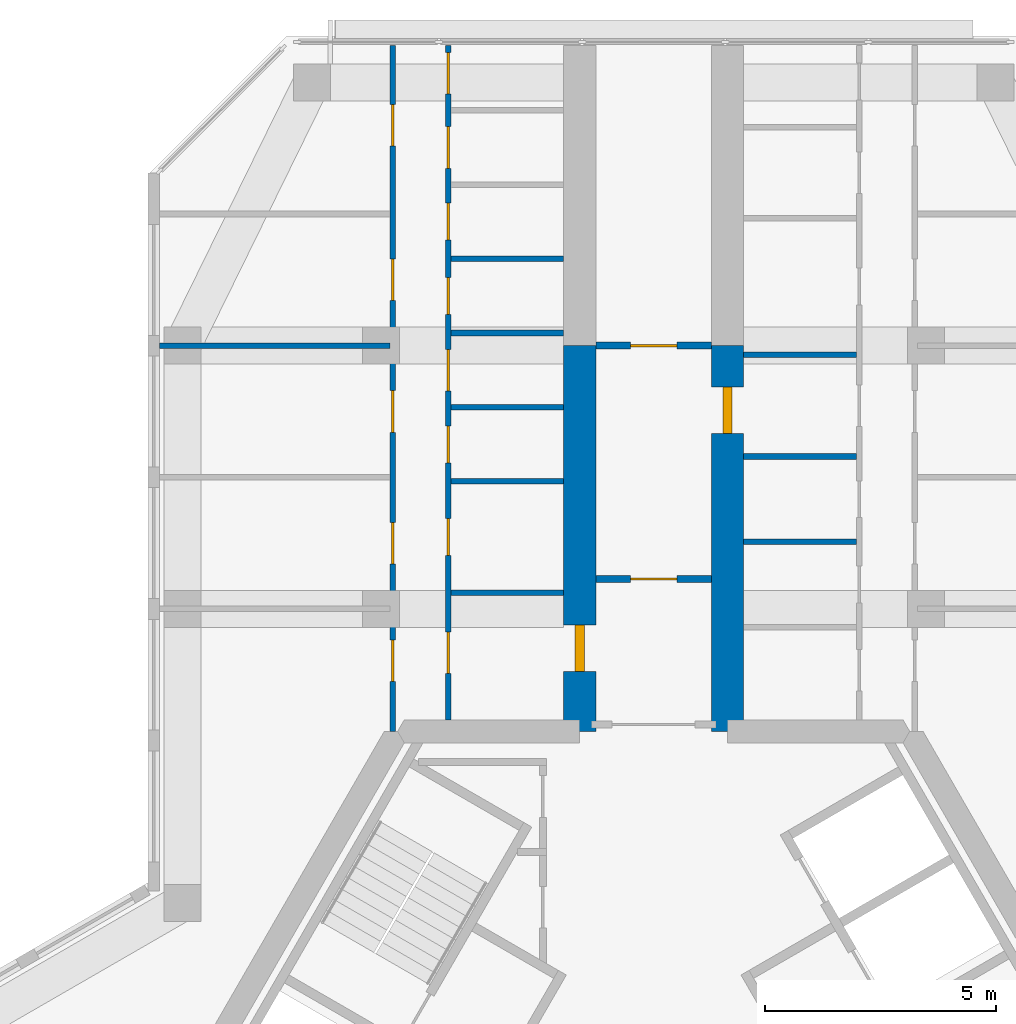
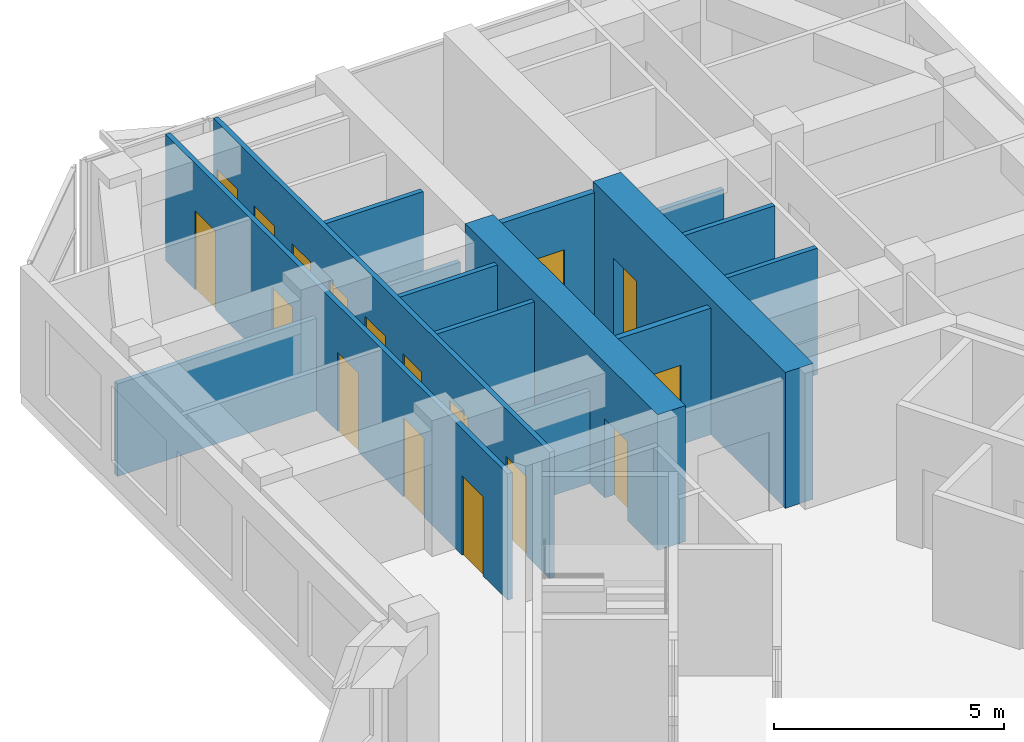
# One storey, part 12 of 14: 17 doors, 15 walls, 17 openings.
"""IFC4 building model written with IfcOpenShell, lengths in metres."""

from ifc_helpers import new_model, si_unit, direction, frame, frame_2d, origin, place, context, subcontext, project, spatial, rectangle, extrude, material, layer, layer_set, type_object, element, fill, save


model = new_model("IFC4")

# Units and contexts
model_context = context("Model", 3, precision=1e-05, world=origin(), true_north=direction((0.0, 1.0)))
body_context = subcontext(model_context, "Body", "Model", "MODEL_VIEW")
ifc_project = project(units=[si_unit("LENGTHUNIT", "METRE"), si_unit("AREAUNIT", "SQUARE_METRE"), si_unit("VOLUMEUNIT", "CUBIC_METRE"), si_unit("PLANEANGLEUNIT", "RADIAN"), si_unit("MASSUNIT", "GRAM", prefix="KILO")], contexts=[model_context])

# Site, building, storey
site_placement = place(None, origin())
site = spatial("IfcSite", under=ifc_project, at=site_placement, CompositionType="ELEMENT")
building_placement = place(site_placement, origin())
building = spatial("IfcBuilding", under=site, at=building_placement, Name="Kosmar Iwan School Tower", CompositionType="ELEMENT")
storey_placement = place(building_placement, frame((0.0, 0.0, 292.60009765625)))
storey = spatial("IfcBuildingStorey", under=building, at=storey_placement, Name="L74", CompositionType="ELEMENT", Elevation=292.60009765625)

# Wall, opening, door
ifc_material_1 = material(Name="Concrete C50/60", Category="concrete")
ifc_layer_1 = layer(ifc_material_1, 0.699951171875)
ifc_layer_set_1 = layer_set([ifc_layer_1], Name="Corridor buttress wall 700")
wall_type_1 = type_object("IfcWallType", Name="Corridor buttress wall 700", PredefinedType="SHEAR", material=ifc_layer_set_1)
wall_1_placement = place(storey_placement, frame((-1.60009765625, 9.60009765625, 0.0), z_axis=(0.0, 0.0, 1.0), x_axis=(0.0, 1.0, 0.0)))
wall_1 = element("IfcWall", 1, at=wall_1_placement, inside=storey, type_object=wall_type_1, Name="Corridor wall AL", PredefinedType="SHEAR", context=body_context, shape_type="SweptSolid", body=[
    extrude(rectangle(XDim=8.349853515625, YDim=0.699951171875, at=frame_2d((4.1748046875, 0.0))), origin(), (0.0, 0.0, 1.0), 3.599853515625),
])
opening_1_placement = place(wall_1_placement, frame((1.300048828125, 0.0, 0.0)))
opening_1 = element("IfcOpeningElement", 2, at=opening_1_placement, cuts=wall_1, Name="Opening D1", PredefinedType="OPENING", context=body_context, shape_type="SweptSolid", body=[
    extrude(rectangle(XDim=1.0, YDim=2.10009765625, at=frame_2d((0.5, 1.050048828125))), frame((0.0, 0.362060546875, 0.0), z_axis=(0.0, -1.0, 0.0), x_axis=(1.0, 0.0, 0.0)), (0.0, 0.0, 1.0), 0.723876953125),
])
ifc_material_2 = material(Name="Timber fire door in steel frame", Category="steel")
door_type_1 = type_object("IfcDoorType", Name="Flat entrance door 1000x2100", OperationType="SINGLE_SWING_LEFT", PredefinedType="DOOR", material=ifc_material_2)
door_1_placement = place(opening_1_placement, origin())
door_1 = element("IfcDoor", 3, at=door_1_placement, inside=storey, type_object=door_type_1, Name="Flat L74-AL1 entrance door", OperationType="SINGLE_SWING_RIGHT", OverallHeight=2.10009765625, OverallWidth=1.0, PredefinedType="DOOR", context=body_context, shape_type="SweptSolid", body=[
    extrude(rectangle(XDim=1.0, YDim=2.10009765625, at=frame_2d((0.5, 1.050048828125))), frame((0.0, 0.10009765625, 0.0), z_axis=(0.0, -1.0, 0.0), x_axis=(1.0, 0.0, 0.0)), (0.0, 0.0, 1.0), 0.199951171875),
])
fill(opening_1, door_1)

wall_2_placement = place(storey_placement, frame((1.60009765625, 9.60009765625, 0.0), z_axis=(0.0, 0.0, 1.0), x_axis=(0.0, 1.0, 0.0)))
wall_2 = element("IfcWall", 4, at=wall_2_placement, inside=storey, type_object=wall_type_1, Name="Corridor wall AR", PredefinedType="SHEAR", context=body_context, shape_type="SweptSolid", body=[
    extrude(rectangle(XDim=8.349853515625, YDim=0.699951171875, at=frame_2d((4.1748046875, 0.0))), origin(), (0.0, 0.0, 1.0), 3.599853515625),
])
opening_2_placement = place(wall_2_placement, frame((6.449951171875, 0.0, 0.0)))
opening_2 = element("IfcOpeningElement", 5, at=opening_2_placement, cuts=wall_2, Name="Opening D1", PredefinedType="OPENING", context=body_context, shape_type="SweptSolid", body=[
    extrude(rectangle(XDim=1.0, YDim=2.10009765625, at=frame_2d((0.5, 1.050048828125))), frame((0.0, 0.362060546875, 0.0), z_axis=(0.0, -1.0, 0.0), x_axis=(1.0, 0.0, 0.0)), (0.0, 0.0, 1.0), 0.723876953125),
])
door_2_placement = place(opening_2_placement, origin())
door_2 = element("IfcDoor", 6, at=door_2_placement, inside=storey, type_object=door_type_1, Name="Flat L74-AR1 entrance door", OperationType="SINGLE_SWING_RIGHT", OverallHeight=2.10009765625, OverallWidth=1.0, PredefinedType="DOOR", context=body_context, shape_type="SweptSolid", body=[
    extrude(rectangle(XDim=1.0, YDim=2.10009765625, at=frame_2d((0.5, 1.050048828125))), frame((0.0, 0.10009765625, 0.0), z_axis=(0.0, -1.0, 0.0), x_axis=(1.0, 0.0, 0.0)), (0.0, 0.0, 1.0), 0.199951171875),
])
fill(opening_2, door_2)

ifc_material_3 = material(Name="Gypsum board on steel studs, fire-rated", Category="steel")
ifc_layer_2 = layer(ifc_material_3, 0.14990234375)
ifc_layer_set_2 = layer_set([ifc_layer_2], Name="Corridor end wall 150")
wall_type_2 = type_object("IfcWallType", Name="Corridor end wall 150", PredefinedType="PARTITIONING", material=ifc_layer_set_2)
wall_3_placement = place(storey_placement, frame((1.25, 17.949951171875, 0.0), z_axis=(0.0, 0.0, 1.0), x_axis=(-1.0, 0.0, 0.0)))
wall_3 = element("IfcWall", 7, at=wall_3_placement, inside=storey, type_object=wall_type_2, Name="Partition L74-A-CE", PredefinedType="PARTITIONING", context=body_context, shape_type="SweptSolid", body=[
    extrude(rectangle(XDim=2.5, YDim=0.14990234375, at=frame_2d((1.25, 0.0))), origin(), (0.0, 0.0, 1.0), 3.349853515625),
])
opening_3_placement = place(wall_3_placement, frame((0.75, 0.0, 0.0)))
opening_3 = element("IfcOpeningElement", 8, at=opening_3_placement, cuts=wall_3, Name="Opening D13", PredefinedType="OPENING", context=body_context, shape_type="SweptSolid", body=[
    extrude(rectangle(XDim=1.0, YDim=2.10009765625, at=frame_2d((0.5, 1.050048828125))), frame((0.0, 0.0869140625, 0.0), z_axis=(0.0, -1.0, 0.0), x_axis=(1.0, 0.0, 0.0)), (0.0, 0.0, 1.0), 0.173828125),
])
ifc_material_4 = material(Name="Timber fire door with vision panel", Category="wood")
door_type_2 = type_object("IfcDoorType", Name="Corridor end door 1000x2100", OperationType="SINGLE_SWING_LEFT", PredefinedType="DOOR", material=ifc_material_4)
door_3_placement = place(opening_3_placement, origin())
door_3 = element("IfcDoor", 9, at=door_3_placement, inside=storey, type_object=door_type_2, Name="Laundry and drying room door L74-A", OperationType="SINGLE_SWING_LEFT", OverallHeight=2.10009765625, OverallWidth=1.0, PredefinedType="DOOR", context=body_context, shape_type="SweptSolid", body=[
    extrude(rectangle(XDim=1.0, YDim=2.10009765625, at=frame_2d((0.5, 1.050048828125))), frame((0.0, 0.02490234375, 0.0), z_axis=(0.0, -1.0, 0.0), x_axis=(1.0, 0.0, 0.0)), (0.0, 0.0, 1.0), 0.050048828125),
])
fill(opening_3, door_3)

wall_4_placement = place(storey_placement, frame((1.25, 12.89990234375, 0.0), z_axis=(0.0, 0.0, 1.0), x_axis=(-1.0, 0.0, 0.0)))
wall_4 = element("IfcWall", 10, at=wall_4_placement, inside=storey, type_object=wall_type_2, Name="Partition L74-A-HW", PredefinedType="PARTITIONING", context=body_context, shape_type="SweptSolid", body=[
    extrude(rectangle(XDim=2.5, YDim=0.14990234375, at=frame_2d((1.25, 0.0))), origin(), (0.0, 0.0, 1.0), 3.349853515625),
])
opening_4_placement = place(wall_4_placement, frame((0.75, 0.0, 0.0)))
opening_4 = element("IfcOpeningElement", 11, at=opening_4_placement, cuts=wall_4, Name="Opening D13", PredefinedType="OPENING", context=body_context, shape_type="SweptSolid", body=[
    extrude(rectangle(XDim=1.0, YDim=2.10009765625, at=frame_2d((0.5, 1.050048828125))), frame((0.0, 0.0869140625, 0.0), z_axis=(0.0, -1.0, 0.0), x_axis=(1.0, 0.0, 0.0)), (0.0, 0.0, 1.0), 0.173828125),
])
door_4_placement = place(opening_4_placement, origin())
door_4 = element("IfcDoor", 12, at=door_4_placement, inside=storey, type_object=door_type_2, Name="Entrance door L74-A", OperationType="SINGLE_SWING_RIGHT", OverallHeight=2.10009765625, OverallWidth=1.0, PredefinedType="DOOR", context=body_context, shape_type="SweptSolid", body=[
    extrude(rectangle(XDim=1.0, YDim=2.10009765625, at=frame_2d((0.5, 1.050048828125))), frame((0.0, 0.02490234375, 0.0), z_axis=(0.0, -1.0, 0.0), x_axis=(1.0, 0.0, 0.0)), (0.0, 0.0, 1.0), 0.050048828125),
])
fill(opening_4, door_4)

# Wall, openings, doors
ifc_material_5 = material(Name="Gypsum board on steel studs", Category="steel")
ifc_layer_3 = layer(ifc_material_5, 0.1201171875)
ifc_layer_set_3 = layer_set([ifc_layer_3], Name="Dwelling partition 120")
wall_type_3 = type_object("IfcWallType", Name="Dwelling partition 120", PredefinedType="PARTITIONING", material=ifc_layer_set_3)
wall_5_placement = place(storey_placement, frame((-4.449951171875, 9.85009765625, 0.0), z_axis=(0.0, 0.0, 1.0), x_axis=(0.0, 1.0, 0.0)))
wall_5 = element("IfcWall", 13, at=wall_5_placement, inside=storey, type_object=wall_type_3, Name="Partition L74-AL1-W1", PredefinedType="PARTITIONING", context=body_context, shape_type="SweptSolid", body=[
    extrude(rectangle(XDim=14.594970703125, YDim=0.1201171875, at=frame_2d((7.29736328125, 0.0))), origin(), (0.0, 0.0, 1.0), 3.349853515625),
])
opening_5_placement = place(wall_5_placement, frame((1.0, 0.0, 0.0)))
opening_5 = element("IfcOpeningElement", 14, at=opening_5_placement, cuts=wall_5, Name="Opening D2", PredefinedType="OPENING", context=body_context, shape_type="SweptSolid", body=[
    extrude(rectangle(XDim=0.89990234375, YDim=2.10009765625, at=frame_2d((0.449951171875, 1.050048828125))), frame((0.0, 0.072021484375, 0.0), z_axis=(0.0, -1.0, 0.0), x_axis=(1.0, 0.0, 0.0)), (0.0, 0.0, 1.0), 0.14404296875),
])
opening_6_placement = place(wall_5_placement, frame((3.554931640625, 0.0, 0.0)))
opening_6 = element("IfcOpeningElement", 15, at=opening_6_placement, cuts=wall_5, Name="Opening D3", PredefinedType="OPENING", context=body_context, shape_type="SweptSolid", body=[
    extrude(rectangle(XDim=0.800048828125, YDim=2.10009765625, at=frame_2d((0.39990234375, 1.050048828125))), frame((0.0, 0.072021484375, 0.0), z_axis=(0.0, -1.0, 0.0), x_axis=(1.0, 0.0, 0.0)), (0.0, 0.0, 1.0), 0.14404296875),
])
opening_7_placement = place(wall_5_placement, frame((5.563232421875, 0.0, 0.0)))
opening_7 = element("IfcOpeningElement", 16, at=opening_7_placement, cuts=wall_5, Name="Opening D3", PredefinedType="OPENING", context=body_context, shape_type="SweptSolid", body=[
    extrude(rectangle(XDim=0.800048828125, YDim=2.10009765625, at=frame_2d((0.39990234375, 1.050048828125))), frame((0.0, 0.072021484375, 0.0), z_axis=(0.0, -1.0, 0.0), x_axis=(1.0, 0.0, 0.0)), (0.0, 0.0, 1.0), 0.14404296875),
])
opening_8_placement = place(wall_5_placement, frame((7.1201171875, 0.0, 0.0)))
opening_8 = element("IfcOpeningElement", 17, at=opening_8_placement, cuts=wall_5, Name="Opening D2", PredefinedType="OPENING", context=body_context, shape_type="SweptSolid", body=[
    extrude(rectangle(XDim=0.89990234375, YDim=2.10009765625, at=frame_2d((0.449951171875, 1.050048828125))), frame((0.0, 0.072021484375, 0.0), z_axis=(0.0, -1.0, 0.0), x_axis=(1.0, 0.0, 0.0)), (0.0, 0.0, 1.0), 0.14404296875),
])
opening_9_placement = place(wall_5_placement, frame((8.776611328125, 0.0, 0.0)))
opening_9 = element("IfcOpeningElement", 18, at=opening_9_placement, cuts=wall_5, Name="Opening D3", PredefinedType="OPENING", context=body_context, shape_type="SweptSolid", body=[
    extrude(rectangle(XDim=0.800048828125, YDim=2.10009765625, at=frame_2d((0.39990234375, 1.050048828125))), frame((0.0, 0.072021484375, 0.0), z_axis=(0.0, -1.0, 0.0), x_axis=(1.0, 0.0, 0.0)), (0.0, 0.0, 1.0), 0.14404296875),
])
opening_10_placement = place(wall_5_placement, frame((10.38330078125, 0.0, 0.0)))
opening_10 = element("IfcOpeningElement", 19, at=opening_10_placement, cuts=wall_5, Name="Opening D3", PredefinedType="OPENING", context=body_context, shape_type="SweptSolid", body=[
    extrude(rectangle(XDim=0.800048828125, YDim=2.10009765625, at=frame_2d((0.39990234375, 1.050048828125))), frame((0.0, 0.072021484375, 0.0), z_axis=(0.0, -1.0, 0.0), x_axis=(1.0, 0.0, 0.0)), (0.0, 0.0, 1.0), 0.14404296875),
])
opening_11_placement = place(wall_5_placement, frame((11.93994140625, 0.0, 0.0)))
opening_11 = element("IfcOpeningElement", 20, at=opening_11_placement, cuts=wall_5, Name="Opening D2", PredefinedType="OPENING", context=body_context, shape_type="SweptSolid", body=[
    extrude(rectangle(XDim=0.89990234375, YDim=2.10009765625, at=frame_2d((0.449951171875, 1.050048828125))), frame((0.0, 0.072021484375, 0.0), z_axis=(0.0, -1.0, 0.0), x_axis=(1.0, 0.0, 0.0)), (0.0, 0.0, 1.0), 0.14404296875),
])
opening_12_placement = place(wall_5_placement, frame((13.546630859375, 0.0, 0.0)))
opening_12 = element("IfcOpeningElement", 21, at=opening_12_placement, cuts=wall_5, Name="Opening D2", PredefinedType="OPENING", context=body_context, shape_type="SweptSolid", body=[
    extrude(rectangle(XDim=0.89990234375, YDim=2.10009765625, at=frame_2d((0.449951171875, 1.050048828125))), frame((0.0, 0.072021484375, 0.0), z_axis=(0.0, -1.0, 0.0), x_axis=(1.0, 0.0, 0.0)), (0.0, 0.0, 1.0), 0.14404296875),
])
ifc_material_6 = material(Name="Timber door in timber frame", Category="wood")
door_type_3 = type_object("IfcDoorType", Name="Internal door 900x2100", OperationType="SINGLE_SWING_LEFT", PredefinedType="DOOR", material=ifc_material_6)
door_5_placement = place(opening_5_placement, origin())
door_5 = element("IfcDoor", 22, at=door_5_placement, inside=storey, type_object=door_type_3, Name="Entrance hall door L74-AL1-S1", OperationType="SINGLE_SWING_LEFT", OverallHeight=2.10009765625, OverallWidth=0.89990234375, PredefinedType="DOOR", context=body_context, shape_type="SweptSolid", body=[
    extrude(rectangle(XDim=0.89990234375, YDim=2.10009765625, at=frame_2d((0.449951171875, 1.050048828125))), frame((0.0, 0.02490234375, 0.0), z_axis=(0.0, -1.0, 0.0), x_axis=(1.0, 0.0, 0.0)), (0.0, 0.0, 1.0), 0.050048828125),
])
fill(opening_5, door_5)
door_6_placement = place(opening_8_placement, origin())
door_6 = element("IfcDoor", 23, at=door_6_placement, inside=storey, type_object=door_type_3, Name="Pantry door L74-AL1-S4", OperationType="SINGLE_SWING_RIGHT", OverallHeight=2.10009765625, OverallWidth=0.89990234375, PredefinedType="DOOR", context=body_context, shape_type="SweptSolid", body=[
    extrude(rectangle(XDim=0.89990234375, YDim=2.10009765625, at=frame_2d((0.449951171875, 1.050048828125))), frame((0.0, 0.02490234375, 0.0), z_axis=(0.0, -1.0, 0.0), x_axis=(1.0, 0.0, 0.0)), (0.0, 0.0, 1.0), 0.050048828125),
])
fill(opening_8, door_6)
door_7_placement = place(opening_11_placement, origin())
door_7 = element("IfcDoor", 24, at=door_7_placement, inside=storey, type_object=door_type_3, Name="Utility room door L74-AL1-S7", OperationType="SINGLE_SWING_RIGHT", OverallHeight=2.10009765625, OverallWidth=0.89990234375, PredefinedType="DOOR", context=body_context, shape_type="SweptSolid", body=[
    extrude(rectangle(XDim=0.89990234375, YDim=2.10009765625, at=frame_2d((0.449951171875, 1.050048828125))), frame((0.0, 0.02490234375, 0.0), z_axis=(0.0, -1.0, 0.0), x_axis=(1.0, 0.0, 0.0)), (0.0, 0.0, 1.0), 0.050048828125),
])
fill(opening_11, door_7)
door_8_placement = place(opening_12_placement, origin())
door_8 = element("IfcDoor", 25, at=door_8_placement, inside=storey, type_object=door_type_3, Name="Dressing room door L74-AL1-S8", OperationType="SINGLE_SWING_RIGHT", OverallHeight=2.10009765625, OverallWidth=0.89990234375, PredefinedType="DOOR", context=body_context, shape_type="SweptSolid", body=[
    extrude(rectangle(XDim=0.89990234375, YDim=2.10009765625, at=frame_2d((0.449951171875, 1.050048828125))), frame((0.0, 0.02490234375, 0.0), z_axis=(0.0, -1.0, 0.0), x_axis=(1.0, 0.0, 0.0)), (0.0, 0.0, 1.0), 0.050048828125),
])
fill(opening_12, door_8)
ifc_material_7 = material(Name="Timber door in timber frame", Category="wood")
door_type_4 = type_object("IfcDoorType", Name="Sanitary room door 800x2100", OperationType="SINGLE_SWING_LEFT", PredefinedType="DOOR", material=ifc_material_7)
door_9_placement = place(opening_6_placement, origin())
door_9 = element("IfcDoor", 26, at=door_9_placement, inside=storey, type_object=door_type_4, Name="Bathroom door L74-AL1-S2", OperationType="SINGLE_SWING_LEFT", OverallHeight=2.10009765625, OverallWidth=0.800048828125, PredefinedType="DOOR", context=body_context, shape_type="SweptSolid", body=[
    extrude(rectangle(XDim=0.800048828125, YDim=2.10009765625, at=frame_2d((0.39990234375, 1.050048828125))), frame((0.0, 0.02490234375, 0.0), z_axis=(0.0, -1.0, 0.0), x_axis=(1.0, 0.0, 0.0)), (0.0, 0.0, 1.0), 0.050048828125),
])
fill(opening_6, door_9)
door_10_placement = place(opening_7_placement, origin())
door_10 = element("IfcDoor", 27, at=door_10_placement, inside=storey, type_object=door_type_4, Name="Shower room door L74-AL1-S3", OperationType="SINGLE_SWING_LEFT", OverallHeight=2.10009765625, OverallWidth=0.800048828125, PredefinedType="DOOR", context=body_context, shape_type="SweptSolid", body=[
    extrude(rectangle(XDim=0.800048828125, YDim=2.10009765625, at=frame_2d((0.39990234375, 1.050048828125))), frame((0.0, 0.02490234375, 0.0), z_axis=(0.0, -1.0, 0.0), x_axis=(1.0, 0.0, 0.0)), (0.0, 0.0, 1.0), 0.050048828125),
])
fill(opening_7, door_10)
door_11_placement = place(opening_9_placement, origin())
door_11 = element("IfcDoor", 28, at=door_11_placement, inside=storey, type_object=door_type_4, Name="WC door L74-AL1-S5", OperationType="SINGLE_SWING_RIGHT", OverallHeight=2.10009765625, OverallWidth=0.800048828125, PredefinedType="DOOR", context=body_context, shape_type="SweptSolid", body=[
    extrude(rectangle(XDim=0.800048828125, YDim=2.10009765625, at=frame_2d((0.39990234375, 1.050048828125))), frame((0.0, 0.02490234375, 0.0), z_axis=(0.0, -1.0, 0.0), x_axis=(1.0, 0.0, 0.0)), (0.0, 0.0, 1.0), 0.050048828125),
])
fill(opening_9, door_11)
door_12_placement = place(opening_10_placement, origin())
door_12 = element("IfcDoor", 29, at=door_12_placement, inside=storey, type_object=door_type_4, Name="Store door L74-AL1-S6", OperationType="SINGLE_SWING_RIGHT", OverallHeight=2.10009765625, OverallWidth=0.800048828125, PredefinedType="DOOR", context=body_context, shape_type="SweptSolid", body=[
    extrude(rectangle(XDim=0.800048828125, YDim=2.10009765625, at=frame_2d((0.39990234375, 1.050048828125))), frame((0.0, 0.02490234375, 0.0), z_axis=(0.0, -1.0, 0.0), x_axis=(1.0, 0.0, 0.0)), (0.0, 0.0, 1.0), 0.050048828125),
])
fill(opening_10, door_12)

wall_6_placement = place(storey_placement, frame((-5.64990234375, 9.60009765625, 0.0), z_axis=(0.0, 0.0, 1.0), x_axis=(0.0, 1.0, 0.0)))
wall_6 = element("IfcWall", 30, at=wall_6_placement, inside=storey, type_object=wall_type_3, Name="Partition L74-AL1-W2", PredefinedType="PARTITIONING", context=body_context, shape_type="SweptSolid", body=[
    extrude(rectangle(XDim=14.844970703125, YDim=0.1201171875, at=frame_2d((7.42236328125, 0.0))), origin(), (0.0, 0.0, 1.0), 3.349853515625),
])
opening_13_placement = place(wall_6_placement, frame((1.074951171875, 0.0, 0.0)))
opening_13 = element("IfcOpeningElement", 31, at=opening_13_placement, cuts=wall_6, Name="Opening D2", PredefinedType="OPENING", context=body_context, shape_type="SweptSolid", body=[
    extrude(rectangle(XDim=0.89990234375, YDim=2.10009765625, at=frame_2d((0.449951171875, 1.050048828125))), frame((0.0, 0.072021484375, 0.0), z_axis=(0.0, -1.0, 0.0), x_axis=(1.0, 0.0, 0.0)), (0.0, 0.0, 1.0), 0.14404296875),
])
opening_14_placement = place(wall_6_placement, frame((3.625, 0.0, 0.0)))
opening_14 = element("IfcOpeningElement", 32, at=opening_14_placement, cuts=wall_6, Name="Opening D2", PredefinedType="OPENING", context=body_context, shape_type="SweptSolid", body=[
    extrude(rectangle(XDim=0.89990234375, YDim=2.10009765625, at=frame_2d((0.449951171875, 1.050048828125))), frame((0.0, 0.072021484375, 0.0), z_axis=(0.0, -1.0, 0.0), x_axis=(1.0, 0.0, 0.0)), (0.0, 0.0, 1.0), 0.14404296875),
])
opening_15_placement = place(wall_6_placement, frame((6.47509765625, 0.0, 0.0)))
opening_15 = element("IfcOpeningElement", 33, at=opening_15_placement, cuts=wall_6, Name="Opening D2", PredefinedType="OPENING", context=body_context, shape_type="SweptSolid", body=[
    extrude(rectangle(XDim=0.89990234375, YDim=2.10009765625, at=frame_2d((0.449951171875, 1.050048828125))), frame((0.0, 0.072021484375, 0.0), z_axis=(0.0, -1.0, 0.0), x_axis=(1.0, 0.0, 0.0)), (0.0, 0.0, 1.0), 0.14404296875),
])
opening_16_placement = place(wall_6_placement, frame((9.324951171875, 0.0, 0.0)))
opening_16 = element("IfcOpeningElement", 34, at=opening_16_placement, cuts=wall_6, Name="Opening D2", PredefinedType="OPENING", context=body_context, shape_type="SweptSolid", body=[
    extrude(rectangle(XDim=0.89990234375, YDim=2.10009765625, at=frame_2d((0.449951171875, 1.050048828125))), frame((0.0, 0.072021484375, 0.0), z_axis=(0.0, -1.0, 0.0), x_axis=(1.0, 0.0, 0.0)), (0.0, 0.0, 1.0), 0.14404296875),
])
opening_17_placement = place(wall_6_placement, frame((12.675048828125, 0.0, 0.0)))
opening_17 = element("IfcOpeningElement", 35, at=opening_17_placement, cuts=wall_6, Name="Opening D2", PredefinedType="OPENING", context=body_context, shape_type="SweptSolid", body=[
    extrude(rectangle(XDim=0.89990234375, YDim=2.10009765625, at=frame_2d((0.449951171875, 1.050048828125))), frame((0.0, 0.072021484375, 0.0), z_axis=(0.0, -1.0, 0.0), x_axis=(1.0, 0.0, 0.0)), (0.0, 0.0, 1.0), 0.14404296875),
])
door_13_placement = place(opening_13_placement, origin())
door_13 = element("IfcDoor", 36, at=door_13_placement, inside=storey, type_object=door_type_3, Name="Kitchen and dining room door L74-AL1-F1", OperationType="SINGLE_SWING_RIGHT", OverallHeight=2.10009765625, OverallWidth=0.89990234375, PredefinedType="DOOR", context=body_context, shape_type="SweptSolid", body=[
    extrude(rectangle(XDim=0.89990234375, YDim=2.10009765625, at=frame_2d((0.449951171875, 1.050048828125))), frame((0.0, 0.02490234375, 0.0), z_axis=(0.0, -1.0, 0.0), x_axis=(1.0, 0.0, 0.0)), (0.0, 0.0, 1.0), 0.050048828125),
])
fill(opening_13, door_13)
door_14_placement = place(opening_14_placement, origin())
door_14 = element("IfcDoor", 37, at=door_14_placement, inside=storey, type_object=door_type_3, Name="Study door L74-AL1-F2", OperationType="SINGLE_SWING_LEFT", OverallHeight=2.10009765625, OverallWidth=0.89990234375, PredefinedType="DOOR", context=body_context, shape_type="SweptSolid", body=[
    extrude(rectangle(XDim=0.89990234375, YDim=2.10009765625, at=frame_2d((0.449951171875, 1.050048828125))), frame((0.0, 0.02490234375, 0.0), z_axis=(0.0, -1.0, 0.0), x_axis=(1.0, 0.0, 0.0)), (0.0, 0.0, 1.0), 0.050048828125),
])
fill(opening_14, door_14)
door_15_placement = place(opening_15_placement, origin())
door_15 = element("IfcDoor", 38, at=door_15_placement, inside=storey, type_object=door_type_3, Name="Living room door L74-AL1-F3", OperationType="SINGLE_SWING_RIGHT", OverallHeight=2.10009765625, OverallWidth=0.89990234375, PredefinedType="DOOR", context=body_context, shape_type="SweptSolid", body=[
    extrude(rectangle(XDim=0.89990234375, YDim=2.10009765625, at=frame_2d((0.449951171875, 1.050048828125))), frame((0.0, 0.02490234375, 0.0), z_axis=(0.0, -1.0, 0.0), x_axis=(1.0, 0.0, 0.0)), (0.0, 0.0, 1.0), 0.050048828125),
])
fill(opening_15, door_15)
door_16_placement = place(opening_16_placement, origin())
door_16 = element("IfcDoor", 39, at=door_16_placement, inside=storey, type_object=door_type_3, Name="Bedroom 2 door L74-AL1-F4", OperationType="SINGLE_SWING_LEFT", OverallHeight=2.10009765625, OverallWidth=0.89990234375, PredefinedType="DOOR", context=body_context, shape_type="SweptSolid", body=[
    extrude(rectangle(XDim=0.89990234375, YDim=2.10009765625, at=frame_2d((0.449951171875, 1.050048828125))), frame((0.0, 0.02490234375, 0.0), z_axis=(0.0, -1.0, 0.0), x_axis=(1.0, 0.0, 0.0)), (0.0, 0.0, 1.0), 0.050048828125),
])
fill(opening_16, door_16)
door_17_placement = place(opening_17_placement, origin())
door_17 = element("IfcDoor", 40, at=door_17_placement, inside=storey, type_object=door_type_3, Name="Bedroom 1 door L74-AL1-F5", OperationType="SINGLE_SWING_RIGHT", OverallHeight=2.10009765625, OverallWidth=0.89990234375, PredefinedType="DOOR", context=body_context, shape_type="SweptSolid", body=[
    extrude(rectangle(XDim=0.89990234375, YDim=2.10009765625, at=frame_2d((0.449951171875, 1.050048828125))), frame((0.0, 0.02490234375, 0.0), z_axis=(0.0, -1.0, 0.0), x_axis=(1.0, 0.0, 0.0)), (0.0, 0.0, 1.0), 0.050048828125),
])
fill(opening_17, door_17)

# Walls
wall_7_placement = place(storey_placement, frame((-5.7099609375, 17.949951171875, 0.0), z_axis=(0.0, 0.0, 1.0), x_axis=(-1.0, 0.0, 0.0)))
element("IfcWall", 41, at=wall_7_placement, inside=storey, type_object=wall_type_3, Name="Partition L74-AL1-X3", PredefinedType="PARTITIONING", context=body_context, shape_type="SweptSolid", body=[
    extrude(rectangle(XDim=4.989990234375, YDim=0.1201171875, at=frame_2d((2.4951171875, 0.0))), origin(), (0.0, 0.0, 1.0), 2.449951171875),
])
wall_8_placement = place(storey_placement, frame((-1.949951171875, 12.60009765625, 0.0), z_axis=(0.0, 0.0, 1.0), x_axis=(-1.0, 0.0, 0.0)))
element("IfcWall", 42, at=wall_8_placement, inside=storey, type_object=wall_type_3, Name="Partition L74-AL1-Y1", PredefinedType="PARTITIONING", context=body_context, shape_type="SweptSolid", body=[
    extrude(rectangle(XDim=2.43994140625, YDim=0.1201171875, at=frame_2d((1.219970703125, 0.0))), origin(), (0.0, 0.0, 1.0), 2.449951171875),
])
for number, where, z_axis, x_axis, name in (
    (43, (-1.949951171875, 15.010009765625, 0.0), (0.0, 0.0, 1.0), (-1.0, 0.0, 0.0), "Partition L74-AL1-Y2"),
    (44, (-1.949951171875, 16.61669921875, 0.0), (0.0, 0.0, 1.0), (-1.0, 0.0, 0.0), "Partition L74-AL1-Y3"),
):
    element("IfcWall", number, at=place(storey_placement, frame(where, z_axis=z_axis, x_axis=x_axis)), inside=storey, type_object=wall_type_3, Name=name, PredefinedType="PARTITIONING", context=body_context, shape_type="SweptSolid", body=[
        extrude(rectangle(XDim=2.43994140625, YDim=0.1201171875, at=frame_2d((1.219970703125, 0.0))), origin(), (0.0, 0.0, 1.0), 3.349853515625),
    ])
wall_9_placement = place(storey_placement, frame((-1.949951171875, 18.223388671875, 0.0), z_axis=(0.0, 0.0, 1.0), x_axis=(-1.0, 0.0, 0.0)))
element("IfcWall", 45, at=wall_9_placement, inside=storey, type_object=wall_type_3, Name="Partition L74-AL1-Y4", PredefinedType="PARTITIONING", context=body_context, shape_type="SweptSolid", body=[
    extrude(rectangle(XDim=2.43994140625, YDim=0.1201171875, at=frame_2d((1.219970703125, 0.0))), origin(), (0.0, 0.0, 1.0), 2.449951171875),
])
for number, where, z_axis, x_axis, name in (
    (46, (-1.949951171875, 19.830078125, 0.0), (0.0, 0.0, 1.0), (-1.0, 0.0, 0.0), "Partition L74-AL1-Y5"),
    (47, (1.949951171875, 13.699951171875, 0.0), (0.0, 0.0, 1.0), (1.0, 0.0, 0.0), "Partition L74-AR1-Y2"),
    (48, (1.949951171875, 15.550048828125, 0.0), (0.0, 0.0, 1.0), (1.0, 0.0, 0.0), "Partition L74-AR1-Y3"),
):
    element("IfcWall", number, at=place(storey_placement, frame(where, z_axis=z_axis, x_axis=x_axis)), inside=storey, type_object=wall_type_3, Name=name, PredefinedType="PARTITIONING", context=body_context, shape_type="SweptSolid", body=[
        extrude(rectangle(XDim=2.43994140625, YDim=0.1201171875, at=frame_2d((1.219970703125, 0.0))), origin(), (0.0, 0.0, 1.0), 3.349853515625),
    ])
wall_10_placement = place(storey_placement, frame((1.949951171875, 17.75, 0.0), z_axis=(0.0, 0.0, 1.0), x_axis=(1.0, 0.0, 0.0)))
element("IfcWall", 49, at=wall_10_placement, inside=storey, type_object=wall_type_3, Name="Partition L74-AR1-Y4", PredefinedType="PARTITIONING", context=body_context, shape_type="SweptSolid", body=[
    extrude(rectangle(XDim=2.43994140625, YDim=0.1201171875, at=frame_2d((1.219970703125, 0.0))), origin(), (0.0, 0.0, 1.0), 2.449951171875),
])

save(model, "model.ifc")
